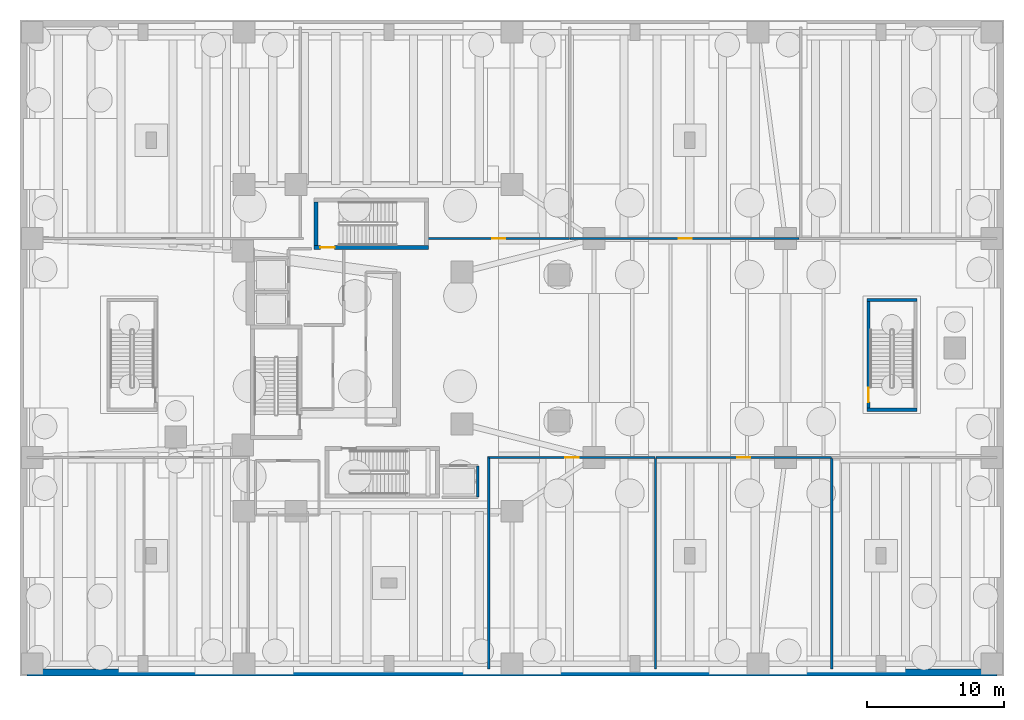
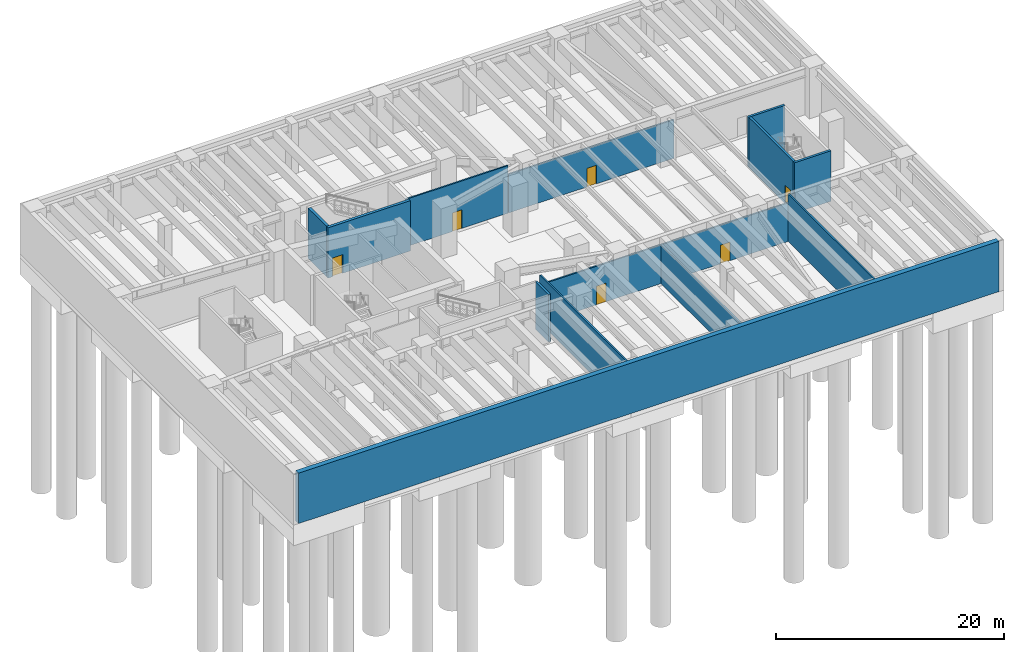
# One storey, part 5 of 10: 14 walls, 6 doors, 6 openings.
"""IFC4 building model written with IfcOpenShell, lengths in metres."""

from ifc_helpers import new_model, si_unit, direction, frame, frame_2d, origin, place, context, subcontext, project, spatial, rectangle, extrude, material, layer, layer_set, type_object, element, fill, save


model = new_model("IFC4")

# Units and contexts
model_context = context("Model", 3, precision=1e-05, world=origin(), true_north=direction((0.0, 1.0)))
body_context = subcontext(model_context, "Body", "Model", "MODEL_VIEW")
ifc_project = project(units=[si_unit("LENGTHUNIT", "METRE"), si_unit("AREAUNIT", "SQUARE_METRE"), si_unit("VOLUMEUNIT", "CUBIC_METRE"), si_unit("PLANEANGLEUNIT", "RADIAN"), si_unit("MASSUNIT", "GRAM", prefix="KILO"), si_unit("THERMODYNAMICTEMPERATUREUNIT", "KELVIN"), si_unit("POWERUNIT", "WATT")], contexts=[model_context])

# Site, building, storey
site_placement = place(None, origin())
site = spatial("IfcSite", under=ifc_project, at=site_placement, CompositionType="ELEMENT")
building_placement = place(site_placement, origin())
building = spatial("IfcBuilding", under=site, at=building_placement, Name="Skarre Station Tower", CompositionType="ELEMENT")
storey_placement = place(building_placement, frame((0.0, 0.0, -10.199951171875)))
storey = spatial("IfcBuildingStorey", under=building, at=storey_placement, Name="B02", CompositionType="ELEMENT", Elevation=-10.199951171875)

# Wall
ifc_material_1 = material(Name="Concrete C50/60", Category="concrete")
ifc_layer_1 = layer(ifc_material_1, 0.5, Name="Concrete C50/60")
ifc_layer_set_1 = layer_set([ifc_layer_1], Name="Concrete C50/60")
wall_type_1 = type_object("IfcWallType", Name="Basement Perimeter Retaining Wall 500", PredefinedType="USERDEFINED", material=ifc_layer_set_1)
wall_1_placement = place(storey_placement, frame((71.5, 0.25, 0.0), z_axis=(0.0, 0.0, 1.0), x_axis=(-1.0, 0.0, 0.0)))
element("IfcWall", 1, at=wall_1_placement, inside=storey, type_object=wall_type_1, Name="B02 Perimeter Retaining Wall S", ObjectType="RETAININGWALL", PredefinedType="USERDEFINED", context=body_context, shape_type="SweptSolid", body=[
    extrude(rectangle(XDim=71.0, YDim=0.5, at=frame_2d((35.5, 0.0))), origin(), (0.0, 0.0, 1.0), 5.39990234375),
])

# Wall, opening, door
ifc_material_2 = material(Name="Acoustic Steel-Stud Gypsum Partition", Category="steel")
ifc_layer_2 = layer(ifc_material_2, 0.14990234375, Name="Acoustic Steel-Stud Gypsum Partition")
ifc_layer_set_2 = layer_set([ifc_layer_2], Name="Acoustic Steel-Stud Gypsum Partition")
wall_type_2 = type_object("IfcWallType", Name="Fire-Rated Corridor Acoustic Partition 150", PredefinedType="PARTITIONING", material=ifc_layer_set_2)
wall_2_placement = place(storey_placement, frame((34.300048828125, 15.97998046875, 0.0), z_axis=(0.0, 0.0, 1.0), x_axis=(1.0, 0.0, 0.0)))
wall_2 = element("IfcWall", 2, at=wall_2_placement, inside=storey, type_object=wall_type_2, Name="B02 Interior Partition WL-PT-B02-PDSE1-CW", PredefinedType="PARTITIONING", context=body_context, shape_type="SweptSolid", body=[
    extrude(rectangle(XDim=12.1728515625, YDim=0.14990234375, at=frame_2d((6.08642578125, 0.0))), origin(), (0.0, 0.0, 1.0), 4.141845703125),
])
opening_1_placement = place(wall_2_placement, frame((5.60693359375, 0.0, 0.0)))
opening_1 = element("IfcOpeningElement", 3, at=opening_1_placement, cuts=wall_2, Name="Opening DR-FD60", PredefinedType="OPENING", context=body_context, shape_type="SweptSolid", body=[
    extrude(rectangle(XDim=0.9599609375, YDim=2.0, at=frame_2d((0.47998046875, 1.0))), frame((0.0, 0.0849609375, 0.0), z_axis=(0.0, -1.0, 0.0), x_axis=(1.0, 0.0, 0.0)), (0.0, 0.0, 1.0), 0.169921875),
])
ifc_material_3 = material(Name="Nordic White-Oak Veneer Solid-Core Fire Leaf", Category="wood")
door_type_1 = type_object("IfcDoorType", Name="Corridor Suite Entry Fire Door FD60 960x2150", OperationType="SINGLE_SWING_LEFT", PredefinedType="DOOR", material=ifc_material_3)
door_1_placement = place(opening_1_placement, origin())
door_1 = element("IfcDoor", 4, at=door_1_placement, inside=storey, type_object=door_type_1, Name="B02 PDSE1 Entry Door", OperationType="SINGLE_SWING_LEFT", OverallHeight=2.0, OverallWidth=0.9599609375, PredefinedType="DOOR", context=body_context, shape_type="SweptSolid", body=[
    extrude(rectangle(XDim=0.9599609375, YDim=2.0, at=frame_2d((0.47998046875, 1.0))), frame((0.0, 0.02490234375, 0.0), z_axis=(0.0, -1.0, 0.0), x_axis=(1.0, 0.0, 0.0)), (0.0, 0.0, 1.0), 0.050048828125),
])
fill(opening_1, door_1)

wall_3_placement = place(storey_placement, frame((46.52490234375, 15.97998046875, 0.0), z_axis=(0.0, 0.0, 1.0), x_axis=(1.0, 0.0, 0.0)))
wall_3 = element("IfcWall", 5, at=wall_3_placement, inside=storey, type_object=wall_type_2, Name="B02 Interior Partition WL-PT-B02-PDSE2-CW", PredefinedType="PARTITIONING", context=body_context, shape_type="SweptSolid", body=[
    extrude(rectangle(XDim=12.841064453125, YDim=0.14990234375, at=frame_2d((6.42041015625, 0.0))), origin(), (0.0, 0.0, 1.0), 4.141845703125),
])
opening_2_placement = place(wall_3_placement, frame((5.94091796875, 0.0, 0.0)))
opening_2 = element("IfcOpeningElement", 6, at=opening_2_placement, cuts=wall_3, Name="Opening DR-FD60", PredefinedType="OPENING", context=body_context, shape_type="SweptSolid", body=[
    extrude(rectangle(XDim=0.9599609375, YDim=2.0, at=frame_2d((0.47998046875, 1.0))), frame((0.0, 0.0849609375, 0.0), z_axis=(0.0, -1.0, 0.0), x_axis=(1.0, 0.0, 0.0)), (0.0, 0.0, 1.0), 0.169921875),
])
door_2_placement = place(opening_2_placement, origin())
door_2 = element("IfcDoor", 7, at=door_2_placement, inside=storey, type_object=door_type_1, Name="B02 PDSE2 Entry Door", OperationType="SINGLE_SWING_LEFT", OverallHeight=2.0, OverallWidth=0.9599609375, PredefinedType="DOOR", context=body_context, shape_type="SweptSolid", body=[
    extrude(rectangle(XDim=0.9599609375, YDim=2.0, at=frame_2d((0.47998046875, 1.0))), frame((0.0, 0.02490234375, 0.0), z_axis=(0.0, -1.0, 0.0), x_axis=(1.0, 0.0, 0.0)), (0.0, 0.0, 1.0), 0.050048828125),
])
fill(opening_2, door_2)

wall_4_placement = place(storey_placement, frame((40.197998046875, 32.02001953125, 0.0), z_axis=(0.0, 0.0, 1.0), x_axis=(-1.0, 0.0, 0.0)))
wall_4 = element("IfcWall", 8, at=wall_4_placement, inside=storey, type_object=wall_type_2, Name="B02 Interior Partition WL-PT-B02-PDN2-CW", PredefinedType="PARTITIONING", context=body_context, shape_type="SweptSolid", body=[
    extrude(rectangle(XDim=10.35693359375, YDim=0.14990234375, at=frame_2d((5.178466796875, 0.0))), origin(), (0.0, 0.0, 1.0), 5.08984375),
])
opening_3_placement = place(wall_4_placement, frame((4.698974609375, 0.0, 0.0)))
opening_3 = element("IfcOpeningElement", 9, at=opening_3_placement, cuts=wall_4, Name="Opening DR-FD60", PredefinedType="OPENING", context=body_context, shape_type="SweptSolid", body=[
    extrude(rectangle(XDim=0.9599609375, YDim=2.0, at=frame_2d((0.47998046875, 1.0))), frame((0.0, 0.0849609375, 0.0), z_axis=(0.0, -1.0, 0.0), x_axis=(1.0, 0.0, 0.0)), (0.0, 0.0, 1.0), 0.169921875),
])
door_3_placement = place(opening_3_placement, origin())
door_3 = element("IfcDoor", 10, at=door_3_placement, inside=storey, type_object=door_type_1, Name="B02 PDN2 Entry Door", OperationType="SINGLE_SWING_LEFT", OverallHeight=2.0, OverallWidth=0.9599609375, PredefinedType="DOOR", context=body_context, shape_type="SweptSolid", body=[
    extrude(rectangle(XDim=0.9599609375, YDim=2.0, at=frame_2d((0.47998046875, 1.0))), frame((0.0, 0.02490234375, 0.0), z_axis=(0.0, -1.0, 0.0), x_axis=(1.0, 0.0, 0.0)), (0.0, 0.0, 1.0), 0.050048828125),
])
fill(opening_3, door_3)

wall_5_placement = place(storey_placement, frame((56.989990234375, 32.02001953125, 0.0), z_axis=(0.0, 0.0, 1.0), x_axis=(-1.0, 0.0, 0.0)))
wall_5 = element("IfcWall", 11, at=wall_5_placement, inside=storey, type_object=wall_type_2, Name="B02 Interior Partition WL-PT-B02-PDN3-CW", PredefinedType="PARTITIONING", context=body_context, shape_type="SweptSolid", body=[
    extrude(rectangle(XDim=16.739990234375, YDim=0.14990234375, at=frame_2d((8.3701171875, 0.0))), origin(), (0.0, 0.0, 1.0), 4.141845703125),
])
opening_4_placement = place(wall_5_placement, frame((7.837890625, 0.0, 0.0)))
opening_4 = element("IfcOpeningElement", 12, at=opening_4_placement, cuts=wall_5, Name="Opening DR-FD60", PredefinedType="OPENING", context=body_context, shape_type="SweptSolid", body=[
    extrude(rectangle(XDim=0.9599609375, YDim=2.0, at=frame_2d((0.47998046875, 1.0))), frame((0.0, 0.0849609375, 0.0), z_axis=(0.0, -1.0, 0.0), x_axis=(1.0, 0.0, 0.0)), (0.0, 0.0, 1.0), 0.169921875),
])
door_4_placement = place(opening_4_placement, origin())
door_4 = element("IfcDoor", 13, at=door_4_placement, inside=storey, type_object=door_type_1, Name="B02 PDN3 Entry Door", OperationType="SINGLE_SWING_LEFT", OverallHeight=2.0, OverallWidth=0.9599609375, PredefinedType="DOOR", context=body_context, shape_type="SweptSolid", body=[
    extrude(rectangle(XDim=0.9599609375, YDim=2.0, at=frame_2d((0.47998046875, 1.0))), frame((0.0, 0.02490234375, 0.0), z_axis=(0.0, -1.0, 0.0), x_axis=(1.0, 0.0, 0.0)), (0.0, 0.0, 1.0), 0.050048828125),
])
fill(opening_4, door_4)

# Walls
ifc_layer_3 = layer(ifc_material_1, 0.239990234375, Name="Concrete C50/60")
ifc_layer_set_3 = layer_set([ifc_layer_3], Name="Concrete C50/60")
wall_type_3 = type_object("IfcWallType", Name="RC Core Shear Wall 240", PredefinedType="SHEAR", material=ifc_layer_set_3)
for number, where, z_axis, x_axis, name in (
    (14, (61.9599609375, 19.47998046875, 0.0), (0.0, 0.0, 1.0), (1.0, 0.0, 0.0), "B02 Podium Stair ST-5 South Shear Wall"),
    (15, (65.639892578125, 27.52001953125, 0.0), (0.0, 0.0, 1.0), (-1.0, 0.0, 0.0), "B02 Podium Stair ST-5 North Shear Wall"),
):
    element("IfcWall", number, at=place(storey_placement, frame(where, z_axis=z_axis, x_axis=x_axis)), inside=storey, type_object=wall_type_3, Name=name, PredefinedType="SHEAR", context=body_context, shape_type="SweptSolid", body=[
        extrude(rectangle(XDim=3.679931640625, YDim=0.239990234375, at=frame_2d((1.83984375, 0.0))), origin(), (0.0, 0.0, 1.0), 5.39990234375),
    ])

# Wall, opening, door
wall_6_placement = place(storey_placement, frame((62.080078125, 27.39990234375, 0.0), z_axis=(0.0, 0.0, 1.0), x_axis=(0.0, -1.0, 0.0)))
wall_6 = element("IfcWall", 16, at=wall_6_placement, inside=storey, type_object=wall_type_3, Name="B02 Podium Stair ST-5 West Shear Wall", PredefinedType="SHEAR", context=body_context, shape_type="SweptSolid", body=[
    extrude(rectangle(XDim=7.7998046875, YDim=0.239990234375, at=frame_2d((3.89990234375, 0.0))), origin(), (0.0, 0.0, 1.0), 5.39990234375),
])
opening_5_placement = place(wall_6_placement, frame((6.31005859375, 0.0, 0.0)))
opening_5 = element("IfcOpeningElement", 17, at=opening_5_placement, cuts=wall_6, Name="Opening DR-FD90", PredefinedType="OPENING", context=body_context, shape_type="SweptSolid", body=[
    extrude(rectangle(XDim=1.050048828125, YDim=2.0, at=frame_2d((0.52490234375, 1.0))), frame((0.0, 0.1298828125, 0.0), z_axis=(0.0, -1.0, 0.0), x_axis=(1.0, 0.0, 0.0)), (0.0, 0.0, 1.0), 0.260009765625),
])
ifc_material_4 = material(Name="Fire-Rated Insulated Steel Frame & Timber Core Leaf", Category="steel")
door_type_2 = type_object("IfcDoorType", Name="Stair & FSAE Lobby Fire Door FD90 1050x2150", OperationType="SINGLE_SWING_RIGHT", PredefinedType="DOOR", material=ifc_material_4)
door_5_placement = place(opening_5_placement, origin())
door_5 = element("IfcDoor", 18, at=door_5_placement, inside=storey, type_object=door_type_2, Name="B02 Podium Stair ST-5 Exit Door", OperationType="SINGLE_SWING_LEFT", OverallHeight=2.0, OverallWidth=1.050048828125, PredefinedType="DOOR", context=body_context, shape_type="SweptSolid", body=[
    extrude(rectangle(XDim=1.050048828125, YDim=2.0, at=frame_2d((0.52490234375, 1.0))), frame((0.0, 0.02490234375, 0.0), z_axis=(0.0, -1.0, 0.0), x_axis=(1.0, 0.0, 0.0)), (0.0, 0.0, 1.0), 0.050048828125),
])
fill(opening_5, door_5)

ifc_layer_4 = layer(ifc_material_1, 0.280029296875, Name="Concrete C50/60")
ifc_layer_set_4 = layer_set([ifc_layer_4], Name="Concrete C50/60")
wall_type_4 = type_object("IfcWallType", Name="RC Core Shear Wall 280", PredefinedType="SHEAR", material=ifc_layer_set_4)
wall_7_placement = place(storey_placement, frame((21.52001953125, 31.360107421875, 0.0), z_axis=(0.0, 0.0, 1.0), x_axis=(1.0, 0.0, 0.0)))
wall_7 = element("IfcWall", 19, at=wall_7_placement, inside=storey, type_object=wall_type_4, Name="B02 Stair ST-3 South Shear Wall", PredefinedType="SHEAR", context=body_context, shape_type="SweptSolid", body=[
    extrude(rectangle(XDim=8.35986328125, YDim=0.280029296875, at=frame_2d((4.179931640625, 0.0))), origin(), (0.0, 0.0, 1.0), 5.39990234375),
])
opening_6_placement = place(wall_7_placement, frame((0.449951171875, 0.0, 0.0)))
opening_6 = element("IfcOpeningElement", 20, at=opening_6_placement, cuts=wall_7, Name="Opening DR-FD90", PredefinedType="OPENING", context=body_context, shape_type="SweptSolid", body=[
    extrude(rectangle(XDim=1.050048828125, YDim=2.0, at=frame_2d((0.52490234375, 1.0))), frame((0.0, 0.14990234375, 0.0), z_axis=(0.0, -1.0, 0.0), x_axis=(1.0, 0.0, 0.0)), (0.0, 0.0, 1.0), 0.300048828125),
])
door_6_placement = place(opening_6_placement, origin())
door_6 = element("IfcDoor", 21, at=door_6_placement, inside=storey, type_object=door_type_2, Name="B02 Stair ST-3 & FSAE Lobby Direct Exit Door", OperationType="SINGLE_SWING_LEFT", OverallHeight=2.0, OverallWidth=1.050048828125, PredefinedType="DOOR", context=body_context, shape_type="SweptSolid", body=[
    extrude(rectangle(XDim=1.050048828125, YDim=2.0, at=frame_2d((0.52490234375, 1.0))), frame((0.0, 0.02490234375, 0.0), z_axis=(0.0, -1.0, 0.0), x_axis=(1.0, 0.0, 0.0)), (0.0, 0.0, 1.0), 0.050048828125),
])
fill(opening_6, door_6)

# Walls
wall_8_placement = place(storey_placement, frame((21.659912109375, 34.699951171875, 0.0), z_axis=(0.0, 0.0, 1.0), x_axis=(0.0, -1.0, 0.0)))
element("IfcWall", 22, at=wall_8_placement, inside=storey, type_object=wall_type_4, Name="B02 Stair ST-3 West Shear Wall", PredefinedType="SHEAR", context=body_context, shape_type="SweptSolid", body=[
    extrude(rectangle(XDim=3.199951171875, YDim=0.280029296875, at=frame_2d((1.60009765625, 0.0))), origin(), (0.0, 0.0, 1.0), 5.39990234375),
])
ifc_material_5 = material(Name="Gypsum Concrete Shaft Assembly C30/37", Category="concrete")
ifc_layer_5 = layer(ifc_material_5, 0.199951171875, Name="Gypsum Concrete Shaft Assembly C30/37")
ifc_layer_set_5 = layer_set([ifc_layer_5], Name="Gypsum Concrete Shaft Assembly C30/37")
wall_type_5 = type_object("IfcWallType", Name="Shaft & Core Fire Partition 200", PredefinedType="PARTITIONING", material=ifc_layer_set_5)
wall_9_placement = place(storey_placement, frame((33.5, 13.080078125, 0.0), z_axis=(0.0, 0.0, 1.0), x_axis=(0.0, 1.0, 0.0)))
element("IfcWall", 23, at=wall_9_placement, inside=storey, type_object=wall_type_5, Name="B02 Interior Partition WL-PT-B02-SV1-E", PredefinedType="PARTITIONING", context=body_context, shape_type="SweptSolid", body=[
    extrude(rectangle(XDim=2.2998046875, YDim=0.199951171875, at=frame_2d((1.14990234375, 0.0))), origin(), (0.0, 0.0, 1.0), 5.08984375),
])
ifc_layer_6 = layer(ifc_material_2, 0.1650390625, Name="Acoustic Steel-Stud Gypsum Partition")
ifc_layer_set_6 = layer_set([ifc_layer_6], Name="Acoustic Steel-Stud Gypsum Partition")
wall_type_6 = type_object("IfcWallType", Name="Suite Demising Acoustic Partition 165", PredefinedType="PARTITIONING", material=ifc_layer_set_6)
wall_10_placement = place(storey_placement, frame((34.300048828125, 0.4951171875, 0.0), z_axis=(0.0, 0.0, 1.0), x_axis=(0.0, 1.0, 0.0)))
element("IfcWall", 24, at=wall_10_placement, inside=storey, type_object=wall_type_6, Name="B02 Interior Partition WL-PT-B02-PDSE-W", PredefinedType="PARTITIONING", context=body_context, shape_type="SweptSolid", body=[
    extrude(rectangle(XDim=15.554931640625, YDim=0.1650390625, at=frame_2d((7.77734375, 0.0))), origin(), (0.0, 0.0, 1.0), 5.08984375),
])
wall_11_placement = place(storey_placement, frame((46.4990234375, 0.4951171875, 0.0), z_axis=(0.0, 0.0, 1.0), x_axis=(0.0, 1.0, 0.0)))
element("IfcWall", 25, at=wall_11_placement, inside=storey, type_object=wall_type_6, Name="B02 Interior Partition WL-PT-B02-PDSE-P1", PredefinedType="PARTITIONING", context=body_context, shape_type="SweptSolid", body=[
    extrude(rectangle(XDim=15.414794921875, YDim=0.1650390625, at=frame_2d((7.70751953125, 0.0))), origin(), (0.0, 0.0, 1.0), 4.18994140625),
])
wall_12_placement = place(storey_placement, frame((59.39208984375, 0.4951171875, 0.0), z_axis=(0.0, 0.0, 1.0), x_axis=(0.0, 1.0, 0.0)))
element("IfcWall", 26, at=wall_12_placement, inside=storey, type_object=wall_type_6, Name="B02 Interior Partition WL-PT-B02-PDSE-P2", PredefinedType="PARTITIONING", context=body_context, shape_type="SweptSolid", body=[
    extrude(rectangle(XDim=15.414794921875, YDim=0.1650390625, at=frame_2d((7.70751953125, 0.0))), origin(), (0.0, 0.0, 1.0), 5.08984375),
])

save(model, "model.ifc")
